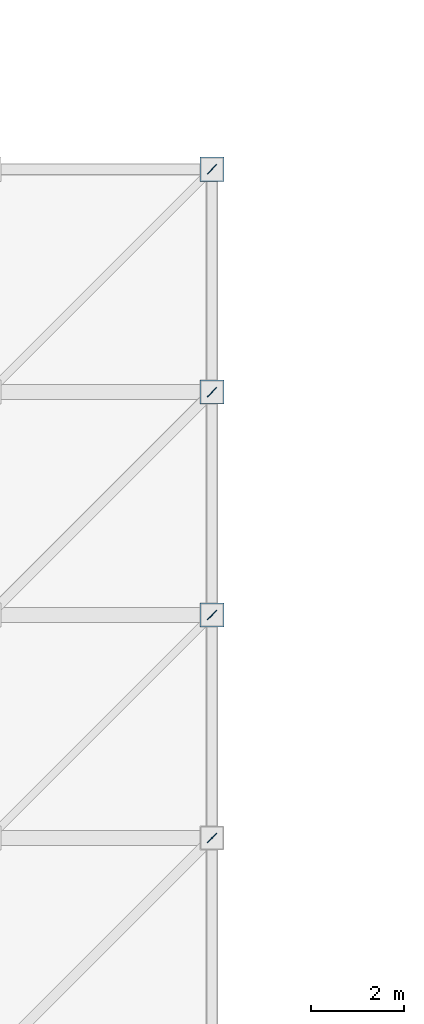
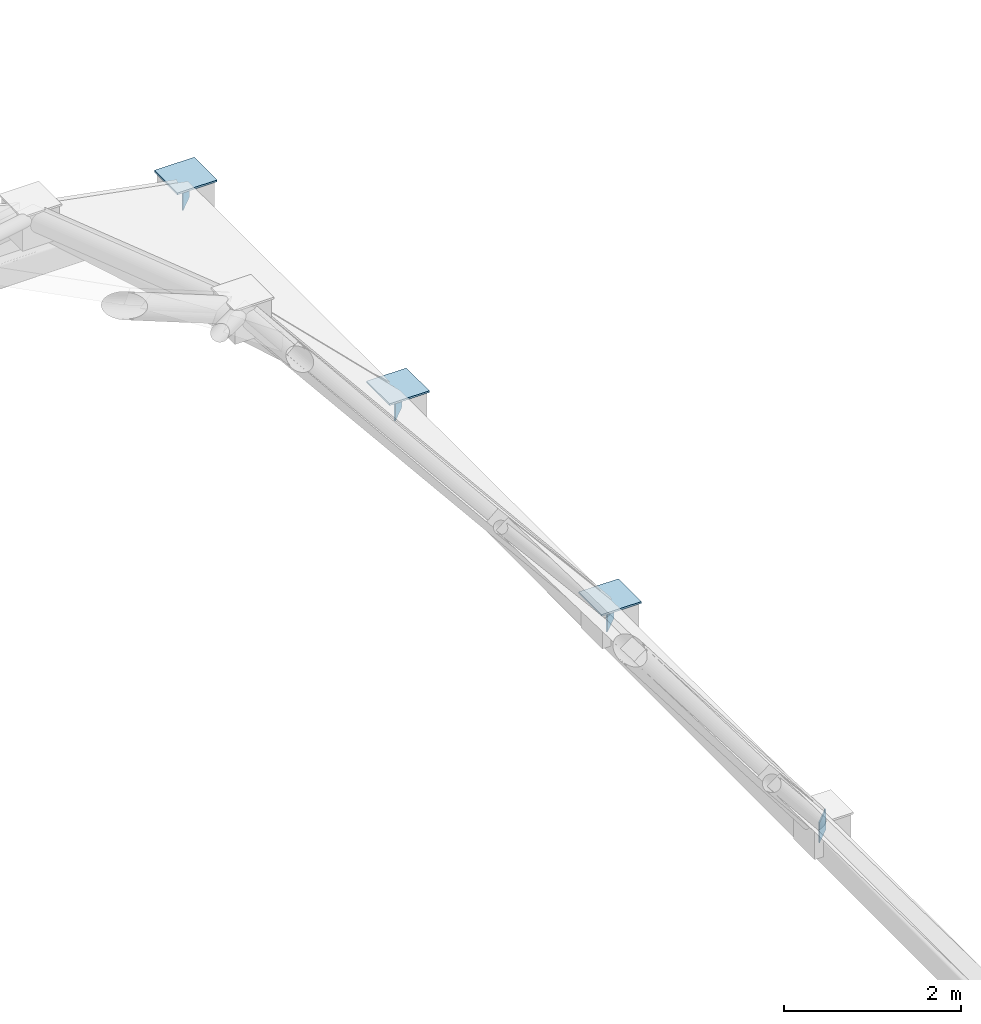
# One storey, part 56 of 70: 7 plates.
"""IFC4 building model written with IfcOpenShell, lengths in metres."""

from ifc_helpers import new_model, si_unit, direction, frame, origin, origin_2d, place, context, subcontext, project, spatial, rectangle, extrude, material, layer, layer_set, type_object, element, save


model = new_model("IFC4")

# Units and contexts
model_context = context("Model", 3, precision=1e-05, world=origin(), true_north=direction((0.0, 1.0)))
body_context = subcontext(model_context, "Body", "Model", "MODEL_VIEW")
ifc_project = project(units=[si_unit("LENGTHUNIT", "METRE"), si_unit("AREAUNIT", "SQUARE_METRE"), si_unit("VOLUMEUNIT", "CUBIC_METRE"), si_unit("PLANEANGLEUNIT", "RADIAN"), si_unit("MASSUNIT", "GRAM", prefix="KILO")], contexts=[model_context])

# Site, building, storey
site_placement = place(None, origin())
site = spatial("IfcSite", under=ifc_project, at=site_placement, CompositionType="ELEMENT")
building_placement = place(site_placement, origin())
building = spatial("IfcBuilding", under=site, at=building_placement, Name="Mavantir Sound Aquarium", CompositionType="ELEMENT")
storey_placement = place(building_placement, frame((0.0, 0.0, 27.0)))
storey = spatial("IfcBuildingStorey", under=building, at=storey_placement, Name="RF", CompositionType="ELEMENT", Elevation=27.0)

# Plates
ifc_material = material(Name="Structural Steel ASTM A572 Gr50", Category="steel")
ifc_layer_1 = layer(ifc_material, 0.01611328125, Name="Structural Steel ASTM A572 Gr50")
ifc_layer_set_1 = layer_set([ifc_layer_1], Name="Structural Steel ASTM A572 Gr50")
plate_type_1 = type_object("IfcPlateType", Name="PLT-GUSSET-16", PredefinedType="SHEET", material=ifc_layer_set_1)
for number, where, z_axis, x_axis, name in (
    (1, (33.60009765625, 64.800048828125, -7.33984375), (0.0, 0.0, 1.0), (0.707106781187, 0.707106781187, 0.0), "Brace end gusset plate GP-01 67"),
    (2, (33.60009765625, 69.60009765625, -7.33984375), (0.0, 0.0, 1.0), (0.707106781187, 0.707106781187, 0.0), "Brace end gusset plate GP-01 68"),
    (3, (33.60009765625, 74.39990234375, -7.33984375), (0.0, 0.0, 1.0), (0.707106781187, 0.707106781187, 0.0), "Brace end gusset plate GP-01 69"),
    (4, (33.60009765625, 79.199951171875, -7.33984375), (0.0, 0.0, 1.0), (0.707106781187, 0.707106781187, 0.0), "Brace end gusset plate GP-01 70"),
):
    element("IfcPlate", number, at=place(storey_placement, frame(where, z_axis=z_axis, x_axis=x_axis)), inside=storey, type_object=plate_type_1, Name=name, PredefinedType="SHEET", context=body_context, shape_type="SweptSolid", body=[
        extrude(rectangle(XDim=0.280029296875, YDim=0.01611328125, at=origin_2d()), origin(), (0.0, 0.0, 1.0), 0.280029296875),
    ])
ifc_layer_2 = layer(ifc_material, 0.02490234375, Name="Structural Steel ASTM A572 Gr50")
ifc_layer_set_2 = layer_set([ifc_layer_2], Name="Structural Steel ASTM A572 Gr50")
plate_type_2 = type_object("IfcPlateType", Name="PLT-NODE-25", PredefinedType="SHEET", material=ifc_layer_set_2)
for number, where, z_axis, x_axis, name in (
    (5, (33.60009765625, 69.60009765625, -6.972412109375), (0.0, 0.0, 1.0), (1.0, 0.0, 0.0), "Gridshell steel node cap plate NP-70"),
    (6, (33.60009765625, 74.39990234375, -6.972412109375), (0.0, 0.0, 1.0), (1.0, 0.0, 0.0), "Gridshell steel node cap plate NP-71"),
    (7, (33.60009765625, 79.199951171875, -6.972412109375), (0.0, 0.0, 1.0), (1.0, 0.0, 0.0), "Gridshell steel node cap plate NP-72"),
):
    element("IfcPlate", number, at=place(storey_placement, frame(where, z_axis=z_axis, x_axis=x_axis)), inside=storey, type_object=plate_type_2, Name=name, PredefinedType="SHEET", context=body_context, shape_type="SweptSolid", body=[
        extrude(rectangle(XDim=0.52001953125, YDim=0.52001953125, at=origin_2d()), origin(), (0.0, 0.0, 1.0), 0.02490234375),
    ])

save(model, "model.ifc")
